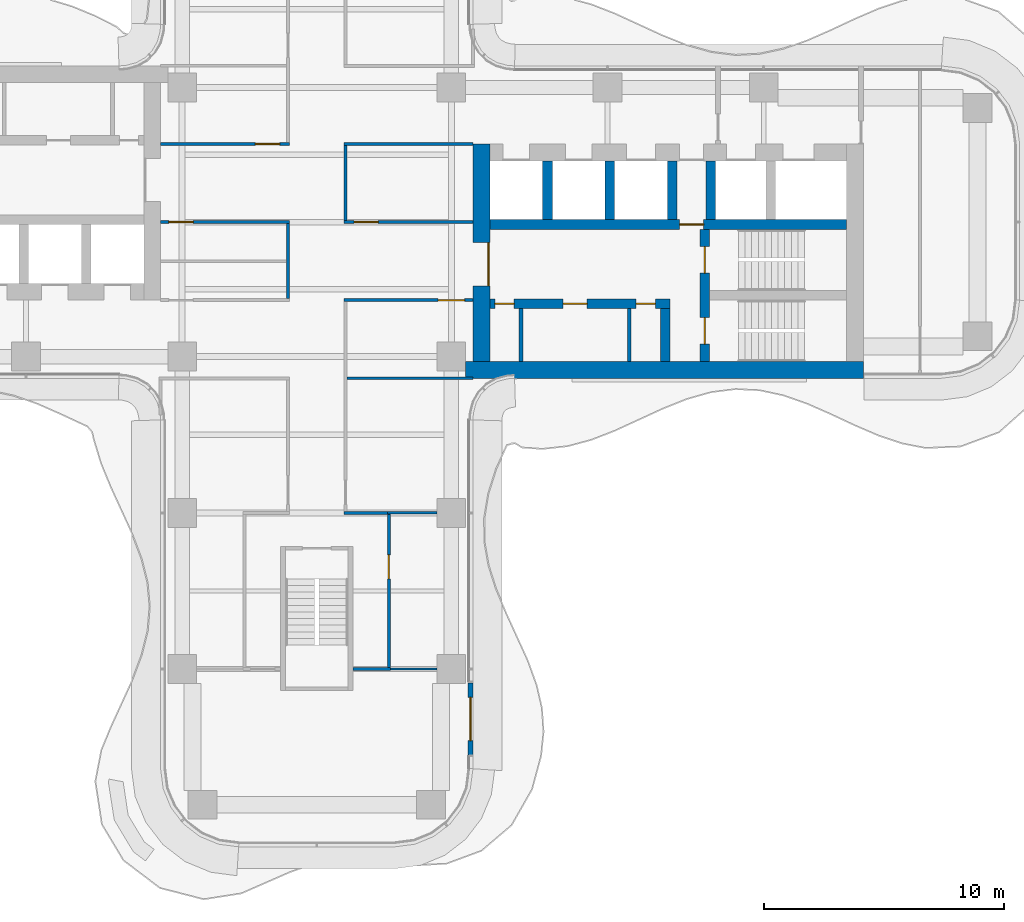
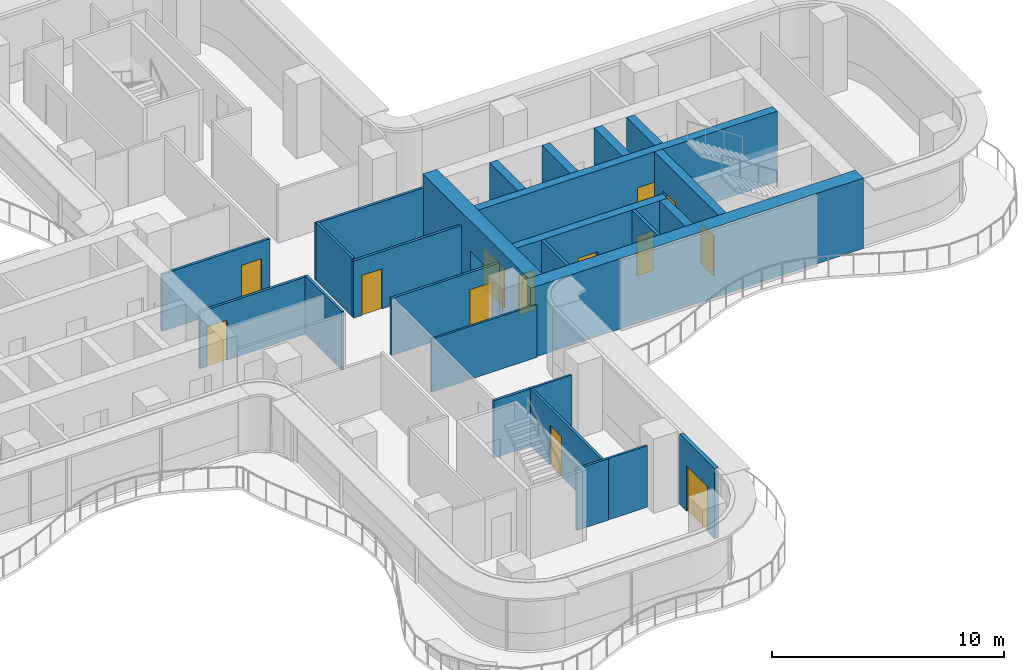
# One storey, part 14 of 18: 26 walls, 13 doors, 13 openings.
"""IFC4 building model written with IfcOpenShell, lengths in metres."""

from ifc_helpers import new_model, si_unit, direction, frame, frame_2d, origin, place, context, subcontext, project, spatial, rectangle, extrude, source, transform, mapped, material, layer, layer_set, type_object, element, fill, save


model = new_model("IFC4")

# Units and contexts
model_context = context("Model", 3, precision=1e-05, world=origin(), true_north=direction((0.0, 1.0)))
body_context = subcontext(model_context, "Body", "Model", "MODEL_VIEW")
ifc_project = project(units=[si_unit("LENGTHUNIT", "METRE"), si_unit("AREAUNIT", "SQUARE_METRE"), si_unit("VOLUMEUNIT", "CUBIC_METRE"), si_unit("PLANEANGLEUNIT", "RADIAN"), si_unit("MASSUNIT", "GRAM", prefix="KILO")], contexts=[model_context])

# Site, building, storey
site_placement = place(None, origin())
site = spatial("IfcSite", under=ifc_project, at=site_placement, CompositionType="ELEMENT")
building_placement = place(site_placement, origin())
building = spatial("IfcBuilding", under=site, at=building_placement, Name="Trellis Farm Tower", CompositionType="ELEMENT")
storey_placement = place(building_placement, frame((0.0, 0.0, 201.0)))
storey = spatial("IfcBuildingStorey", under=building, at=storey_placement, Name="L44", CompositionType="ELEMENT", Elevation=201.0)

# Wall, opening, door
ifc_material_1 = material(Name="Concrete C70/85", Category="concrete")
ifc_layer_1 = layer(ifc_material_1, 0.699951171875)
ifc_layer_set_1 = layer_set([ifc_layer_1], Name="CORE OUTER WALL 700 CONCRETE C70/85")
wall_type_1 = type_object("IfcWallType", Name="CORE OUTER WALL 700 CONCRETE C70/85", PredefinedType="SHEAR", material=ifc_layer_set_1)
shared_shape_1 = source(origin(), body_context, "Body", "SweptSolid", [
    extrude(rectangle(XDim=9.050048828125, YDim=0.699951171875, at=frame_2d((4.52490234375, 0.0))), origin(), (0.0, 0.0, 1.0), 3.699951171875),
])
wall_1_placement = place(storey_placement, frame((6.85009765625, -5.800048828125, 0.0), z_axis=(0.0, 0.0, 1.0), x_axis=(0.0, 1.0, 0.0)))
wall_1 = element("IfcWall", 1, at=wall_1_placement, inside=storey, type_object=wall_type_1, Name="Core wall", PredefinedType="SHEAR", context=body_context, shape_type="MappedRepresentation", body=[
    mapped(shared_shape_1, transform((0.0, 0.0, 0.0))),
])
shared_shape_2 = source(origin(), body_context, "Body", "SweptSolid", [
    extrude(rectangle(XDim=1.800048828125, YDim=2.10009765625, at=frame_2d((0.89990234375, 1.050048828125))), frame((0.0, 0.360107421875, 0.0), z_axis=(0.0, -1.0, 0.0), x_axis=(1.0, 0.0, 0.0)), (0.0, 0.0, 1.0), 0.72021484375),
])
opening_1_placement = place(wall_1_placement, frame((3.14990234375, 0.0, 0.0)))
opening_1 = element("IfcOpeningElement", 2, at=opening_1_placement, cuts=wall_1, Name="Opening DC1", PredefinedType="OPENING", context=body_context, shape_type="MappedRepresentation", body=[
    mapped(shared_shape_2, transform((0.0, 0.0, 0.0))),
])
ifc_material_2 = material(Name="Steel", Category="steel")
door_type_1 = type_object("IfcDoorType", Name="CORE FIRE DOOR DOUBLE 1800 X 2100", OperationType="DOUBLE_DOOR_SINGLE_SWING", PredefinedType="DOOR", material=ifc_material_2)
shared_shape_3 = source(origin(), body_context, "Body", "SweptSolid", [
    extrude(rectangle(XDim=1.800048828125, YDim=2.10009765625, at=frame_2d((0.89990234375, 1.050048828125))), frame((0.0, -0.27490234375, 0.0), z_axis=(0.0, -1.0, 0.0), x_axis=(1.0, 0.0, 0.0)), (0.0, 0.0, 1.0), 0.050048828125),
])
door_1_placement = place(opening_1_placement, origin())
door_1 = element("IfcDoor", 3, at=door_1_placement, inside=storey, type_object=door_type_1, Name="Core door", OperationType="DOUBLE_DOOR_SINGLE_SWING", OverallHeight=2.10009765625, OverallWidth=1.800048828125, PredefinedType="DOOR", context=body_context, shape_type="MappedRepresentation", body=[
    mapped(shared_shape_3, transform((0.0, 0.0, 0.0))),
])
fill(opening_1, door_1)

# Walls
ifc_layer_2 = layer(ifc_material_1, 0.39990234375)
ifc_layer_set_2 = layer_set([ifc_layer_2], Name="CORE INNER WALL 400 CONCRETE C70/85")
wall_type_2 = type_object("IfcWallType", Name="CORE INNER WALL 400 CONCRETE C70/85", PredefinedType="SHEAR", material=ifc_layer_set_2)
shared_shape_4 = source(origin(), body_context, "Body", "SweptSolid", [
    extrude(rectangle(XDim=2.449951171875, YDim=0.39990234375, at=frame_2d((1.22509765625, 0.0))), origin(), (0.0, 0.0, 1.0), 3.699951171875),
])
for number, where, z_axis, x_axis, name in (
    (4, (9.60009765625, 0.10009765625, 0.0), (0.0, 0.0, 1.0), (0.0, 1.0, 0.0), "Core wall"),
    (5, (12.199951171875, 0.10009765625, 0.0), (0.0, 0.0, 1.0), (0.0, 1.0, 0.0), "Core wall"),
    (6, (14.800048828125, 0.10009765625, 0.0), (0.0, 0.0, 1.0), (0.0, 1.0, 0.0), "Core wall"),
    (7, (16.39990234375, 0.10009765625, 0.0), (0.0, 0.0, 1.0), (0.0, 1.0, 0.0), "Core wall"),
):
    element("IfcWall", number, at=place(storey_placement, frame(where, z_axis=z_axis, x_axis=x_axis)), inside=storey, type_object=wall_type_2, Name=name, PredefinedType="SHEAR", context=body_context, shape_type="MappedRepresentation", body=[
        mapped(shared_shape_4, transform((0.0, 0.0, 0.0))),
    ])
shared_shape_5 = source(origin(), body_context, "Body", "SweptSolid", [
    extrude(rectangle(XDim=16.550048828125, YDim=0.699951171875, at=frame_2d((8.27490234375, 0.0))), origin(), (0.0, 0.0, 1.0), 3.699951171875),
])
wall_2_placement = place(storey_placement, frame((6.199951171875, -6.14990234375, 0.0), z_axis=(0.0, 0.0, 1.0), x_axis=(1.0, 0.0, 0.0)))
element("IfcWall", 8, at=wall_2_placement, inside=storey, type_object=wall_type_1, Name="Core wall", PredefinedType="SHEAR", context=body_context, shape_type="MappedRepresentation", body=[
    mapped(shared_shape_5, transform((0.0, 0.0, 0.0))),
])

# Wall, openings, doors
shared_shape_6 = source(origin(), body_context, "Body", "SweptSolid", [
    extrude(rectangle(XDim=7.5, YDim=0.39990234375, at=frame_2d((3.75, 0.0))), origin(), (0.0, 0.0, 1.0), 3.699951171875),
])
wall_3_placement = place(storey_placement, frame((7.199951171875, -3.39990234375, 0.0), z_axis=(0.0, 0.0, 1.0), x_axis=(1.0, 0.0, 0.0)))
wall_3 = element("IfcWall", 9, at=wall_3_placement, inside=storey, type_object=wall_type_2, Name="Core wall", PredefinedType="SHEAR", context=body_context, shape_type="MappedRepresentation", body=[
    mapped(shared_shape_6, transform((0.0, 0.0, 0.0))),
])
shared_shape_7 = source(origin(), body_context, "Body", "SweptSolid", [
    extrude(rectangle(XDim=0.800048828125, YDim=2.10009765625, at=frame_2d((0.39990234375, 1.050048828125))), frame((0.0, 0.2099609375, 0.0), z_axis=(0.0, -1.0, 0.0), x_axis=(1.0, 0.0, 0.0)), (0.0, 0.0, 1.0), 0.419921875),
])
opening_2_placement = place(wall_3_placement, frame((0.21240234375, 0.0, 0.0)))
opening_2 = element("IfcOpeningElement", 10, at=opening_2_placement, cuts=wall_3, Name="Opening DC51", PredefinedType="OPENING", context=body_context, shape_type="MappedRepresentation", body=[
    mapped(shared_shape_7, transform((0.0, 0.0, 0.0))),
])
shared_shape_8 = source(origin(), body_context, "Body", "SweptSolid", [
    extrude(rectangle(XDim=1.0, YDim=2.10009765625, at=frame_2d((0.5, 1.050048828125))), frame((0.0, 0.2099609375, 0.0), z_axis=(0.0, -1.0, 0.0), x_axis=(1.0, 0.0, 0.0)), (0.0, 0.0, 1.0), 0.419921875),
])
opening_3_placement = place(wall_3_placement, frame((3.050048828125, 0.0, 0.0)))
opening_3 = element("IfcOpeningElement", 11, at=opening_3_placement, cuts=wall_3, Name="Opening DC62", PredefinedType="OPENING", context=body_context, shape_type="MappedRepresentation", body=[
    mapped(shared_shape_8, transform((0.0, 0.0, 0.0))),
])
opening_4_placement = place(wall_3_placement, frame((6.08740234375, 0.0, 0.0)))
opening_4 = element("IfcOpeningElement", 12, at=opening_4_placement, cuts=wall_3, Name="Opening DC63", PredefinedType="OPENING", context=body_context, shape_type="MappedRepresentation", body=[
    mapped(shared_shape_7, transform((0.0, 0.0, 0.0))),
])
door_type_2 = type_object("IfcDoorType", Name="CORE FIRE DOOR 1000 X 2100", OperationType="NOTDEFINED", PredefinedType="DOOR", material=ifc_material_2)
shared_shape_9 = source(origin(), body_context, "Body", "SweptSolid", [
    extrude(rectangle(XDim=1.0, YDim=2.10009765625, at=frame_2d((0.5, 1.050048828125))), frame((0.0, 0.02490234375, 0.0), z_axis=(0.0, -1.0, 0.0), x_axis=(1.0, 0.0, 0.0)), (0.0, 0.0, 1.0), 0.050048828125),
])
door_2_placement = place(opening_3_placement, origin())
door_2 = element("IfcDoor", 13, at=door_2_placement, inside=storey, type_object=door_type_2, Name="Core door", OperationType="SINGLE_SWING_RIGHT", OverallHeight=2.10009765625, OverallWidth=1.0, PredefinedType="DOOR", context=body_context, shape_type="MappedRepresentation", body=[
    mapped(shared_shape_9, transform((0.0, 0.0, 0.0))),
])
fill(opening_3, door_2)
door_type_3 = type_object("IfcDoorType", Name="CORE FIRE DOOR 800 X 2100", OperationType="NOTDEFINED", PredefinedType="DOOR", material=ifc_material_2)
shared_shape_10 = source(origin(), body_context, "Body", "SweptSolid", [
    extrude(rectangle(XDim=0.800048828125, YDim=2.10009765625, at=frame_2d((0.39990234375, 1.050048828125))), frame((0.0, 0.02490234375, 0.0), z_axis=(0.0, -1.0, 0.0), x_axis=(1.0, 0.0, 0.0)), (0.0, 0.0, 1.0), 0.050048828125),
])
door_3_placement = place(opening_2_placement, origin())
door_3 = element("IfcDoor", 14, at=door_3_placement, inside=storey, type_object=door_type_3, Name="Core door", OperationType="SINGLE_SWING_LEFT", OverallHeight=2.10009765625, OverallWidth=0.800048828125, PredefinedType="DOOR", context=body_context, shape_type="MappedRepresentation", body=[
    mapped(shared_shape_10, transform((0.0, 0.0, 0.0))),
])
fill(opening_2, door_3)
door_4_placement = place(opening_4_placement, origin())
door_4 = element("IfcDoor", 15, at=door_4_placement, inside=storey, type_object=door_type_3, Name="Core door", OperationType="SINGLE_SWING_LEFT", OverallHeight=2.10009765625, OverallWidth=0.800048828125, PredefinedType="DOOR", context=body_context, shape_type="MappedRepresentation", body=[
    mapped(shared_shape_10, transform((0.0, 0.0, 0.0))),
])
fill(opening_4, door_4)

# Wall, opening, door
shared_shape_11 = source(origin(), body_context, "Body", "SweptSolid", [
    extrude(rectangle(XDim=14.85009765625, YDim=0.39990234375, at=frame_2d((7.425048828125, 0.0))), origin(), (0.0, 0.0, 1.0), 3.699951171875),
])
wall_4_placement = place(storey_placement, frame((7.199951171875, -0.10009765625, 0.0), z_axis=(0.0, 0.0, 1.0), x_axis=(1.0, 0.0, 0.0)))
wall_4 = element("IfcWall", 16, at=wall_4_placement, inside=storey, type_object=wall_type_2, Name="Core wall", PredefinedType="SHEAR", context=body_context, shape_type="MappedRepresentation", body=[
    mapped(shared_shape_11, transform((0.0, 0.0, 0.0))),
])
opening_5_placement = place(wall_4_placement, frame((7.89990234375, 0.0, 0.0)))
opening_5 = element("IfcOpeningElement", 17, at=opening_5_placement, cuts=wall_4, Name="Opening DC5", PredefinedType="OPENING", context=body_context, shape_type="MappedRepresentation", body=[
    mapped(shared_shape_8, transform((0.0, 0.0, 0.0))),
])
door_5_placement = place(opening_5_placement, origin())
door_5 = element("IfcDoor", 18, at=door_5_placement, inside=storey, type_object=door_type_2, Name="Core door", OperationType="SINGLE_SWING_RIGHT", OverallHeight=2.10009765625, OverallWidth=1.0, PredefinedType="DOOR", context=body_context, shape_type="MappedRepresentation", body=[
    mapped(shared_shape_9, transform((0.0, 0.0, 0.0))),
])
fill(opening_5, door_5)

# Wall, openings, doors
shared_shape_12 = source(origin(), body_context, "Body", "SweptSolid", [
    extrude(rectangle(XDim=5.5, YDim=0.39990234375, at=frame_2d((2.75, 0.0))), origin(), (0.0, 0.0, 1.0), 3.699951171875),
])
wall_5_placement = place(storey_placement, frame((16.14990234375, -5.800048828125, 0.0), z_axis=(0.0, 0.0, 1.0), x_axis=(0.0, 1.0, 0.0)))
wall_5 = element("IfcWall", 19, at=wall_5_placement, inside=storey, type_object=wall_type_2, Name="Core wall", PredefinedType="SHEAR", context=body_context, shape_type="MappedRepresentation", body=[
    mapped(shared_shape_12, transform((0.0, 0.0, 0.0))),
])
shared_shape_13 = source(origin(), body_context, "Body", "SweptSolid", [
    extrude(rectangle(XDim=1.10009765625, YDim=2.10009765625, at=frame_2d((0.550048828125, 1.050048828125))), frame((0.0, 0.2099609375, 0.0), z_axis=(0.0, -1.0, 0.0), x_axis=(1.0, 0.0, 0.0)), (0.0, 0.0, 1.0), 0.419921875),
])
opening_6_placement = place(wall_5_placement, frame((0.72509765625, 0.0, 0.0)))
opening_6 = element("IfcOpeningElement", 20, at=opening_6_placement, cuts=wall_5, Name="Opening DC2", PredefinedType="OPENING", context=body_context, shape_type="MappedRepresentation", body=[
    mapped(shared_shape_13, transform((0.0, 0.0, 0.0))),
])
opening_7_placement = place(wall_5_placement, frame((3.675048828125, 0.0, 0.0)))
opening_7 = element("IfcOpeningElement", 21, at=opening_7_placement, cuts=wall_5, Name="Opening DC3", PredefinedType="OPENING", context=body_context, shape_type="MappedRepresentation", body=[
    mapped(shared_shape_13, transform((0.0, 0.0, 0.0))),
])
door_type_4 = type_object("IfcDoorType", Name="CORE FIRE DOOR 1100 X 2100", OperationType="NOTDEFINED", PredefinedType="DOOR", material=ifc_material_2)
shared_shape_14 = source(origin(), body_context, "Body", "SweptSolid", [
    extrude(rectangle(XDim=1.10009765625, YDim=2.10009765625, at=frame_2d((0.550048828125, 1.050048828125))), frame((0.0, 0.02490234375, 0.0), z_axis=(0.0, -1.0, 0.0), x_axis=(1.0, 0.0, 0.0)), (0.0, 0.0, 1.0), 0.050048828125),
])
door_6_placement = place(opening_6_placement, origin())
door_6 = element("IfcDoor", 22, at=door_6_placement, inside=storey, type_object=door_type_4, Name="Core door", OperationType="SINGLE_SWING_RIGHT", OverallHeight=2.10009765625, OverallWidth=1.10009765625, PredefinedType="DOOR", context=body_context, shape_type="MappedRepresentation", body=[
    mapped(shared_shape_14, transform((0.0, 0.0, 0.0))),
])
fill(opening_6, door_6)
door_7_placement = place(opening_7_placement, origin())
door_7 = element("IfcDoor", 23, at=door_7_placement, inside=storey, type_object=door_type_4, Name="Core door", OperationType="SINGLE_SWING_LEFT", OverallHeight=2.10009765625, OverallWidth=1.10009765625, PredefinedType="DOOR", context=body_context, shape_type="MappedRepresentation", body=[
    mapped(shared_shape_14, transform((0.0, 0.0, 0.0))),
])
fill(opening_7, door_7)

# Walls
shared_shape_15 = source(origin(), body_context, "Body", "SweptSolid", [
    extrude(rectangle(XDim=2.199951171875, YDim=0.39990234375, at=frame_2d((1.10009765625, 0.0))), origin(), (0.0, 0.0, 1.0), 3.699951171875),
])
wall_6_placement = place(storey_placement, frame((14.5, -5.800048828125, 0.0), z_axis=(0.0, 0.0, 1.0), x_axis=(0.0, 1.0, 0.0)))
element("IfcWall", 24, at=wall_6_placement, inside=storey, type_object=wall_type_2, Name="Core wall", PredefinedType="SHEAR", context=body_context, shape_type="MappedRepresentation", body=[
    mapped(shared_shape_15, transform((0.0, 0.0, 0.0))),
])
ifc_material_3 = material(Name="Masonry blockwork", Category="masonry")
ifc_layer_3 = layer(ifc_material_3, 0.14990234375)
ifc_layer_set_3 = layer_set([ifc_layer_3], Name="CORE PARTITION 150 BLOCKWORK")
wall_type_3 = type_object("IfcWallType", Name="CORE PARTITION 150 BLOCKWORK", PredefinedType="PARTITIONING", material=ifc_layer_set_3)
shared_shape_16 = source(origin(), body_context, "Body", "SweptSolid", [
    extrude(rectangle(XDim=2.199951171875, YDim=0.14990234375, at=frame_2d((1.10009765625, 0.0))), origin(), (0.0, 0.0, 1.0), 3.699951171875),
])
for number, where, z_axis, x_axis, name in (
    (25, (8.5, -5.800048828125, 0.0), (0.0, 0.0, 1.0), (0.0, 1.0, 0.0), "Core room partition"),
    (26, (13.0, -5.800048828125, 0.0), (0.0, 0.0, 1.0), (0.0, 1.0, 0.0), "Core room partition"),
):
    element("IfcWall", number, at=place(storey_placement, frame(where, z_axis=z_axis, x_axis=x_axis)), inside=storey, type_object=wall_type_3, Name=name, PredefinedType="PARTITIONING", context=body_context, shape_type="MappedRepresentation", body=[
        mapped(shared_shape_16, transform((0.0, 0.0, 0.0))),
    ])

# Wall, opening, door
ifc_material_4 = material(Name="Sandstone faced insulated wall", Category="masonry")
ifc_layer_4 = layer(ifc_material_4, 0.199951171875)
ifc_layer_set_4 = layer_set([ifc_layer_4], Name="EXTERNAL INFILL WALL 200")
wall_type_4 = type_object("IfcWallType", Name="EXTERNAL INFILL WALL 200", PredefinedType="SOLIDWALL", material=ifc_layer_set_4)
shared_shape_17 = source(origin(), body_context, "Body", "SweptSolid", [
    extrude(rectangle(XDim=3.0, YDim=0.199951171875, at=frame_2d((1.5, 0.0))), origin(), (0.0, 0.0, 1.0), 3.699951171875),
])
wall_7_placement = place(storey_placement, frame((6.39990234375, -22.175048828125, 0.0), z_axis=(0.0, 0.0, 1.0), x_axis=(0.0, 1.0, 0.0)))
wall_7 = element("IfcWall", 27, at=wall_7_placement, inside=storey, type_object=wall_type_4, Name="EW1 01", PredefinedType="SOLIDWALL", context=body_context, shape_type="MappedRepresentation", body=[
    mapped(shared_shape_17, transform((0.0, 0.0, 0.0))),
])
shared_shape_18 = source(origin(), body_context, "Body", "SweptSolid", [
    extrude(rectangle(XDim=1.800048828125, YDim=2.39990234375, at=frame_2d((0.89990234375, 1.199951171875))), frame((0.0, 0.110107421875, 0.0), z_axis=(0.0, -1.0, 0.0), x_axis=(1.0, 0.0, 0.0)), (0.0, 0.0, 1.0), 0.22021484375),
])
opening_8_placement = place(wall_7_placement, frame((0.60009765625, 0.0, 0.0)))
opening_8 = element("IfcOpeningElement", 28, at=opening_8_placement, cuts=wall_7, Name="Opening ED1", PredefinedType="OPENING", context=body_context, shape_type="MappedRepresentation", body=[
    mapped(shared_shape_18, transform((0.0, 0.0, 0.0))),
])
ifc_material_5 = material(Name="Aluminium framed glazed door", Category="aluminium")
door_type_5 = type_object("IfcDoorType", Name="BALCONY DOOR 1800x2400", OperationType="DOUBLE_DOOR_SINGLE_SWING", PredefinedType="DOOR", material=ifc_material_5)
shared_shape_19 = source(origin(), body_context, "Body", "SweptSolid", [
    extrude(rectangle(XDim=1.800048828125, YDim=2.39990234375, at=frame_2d((0.89990234375, 1.199951171875))), frame((0.0, 0.02490234375, 0.0), z_axis=(0.0, -1.0, 0.0), x_axis=(1.0, 0.0, 0.0)), (0.0, 0.0, 1.0), 0.050048828125),
])
door_8_placement = place(opening_8_placement, origin())
door_8 = element("IfcDoor", 29, at=door_8_placement, inside=storey, type_object=door_type_5, Name="Balcony door", OperationType="DOUBLE_DOOR_SINGLE_SWING", OverallHeight=2.39990234375, OverallWidth=1.800048828125, PredefinedType="DOOR", context=body_context, shape_type="MappedRepresentation", body=[
    mapped(shared_shape_19, transform((0.0, 0.0, 0.0))),
])
fill(opening_8, door_8)

# Walls
ifc_material_6 = material(Name="Plasterboard on steel studs, mineral wool", Category="steel")
ifc_layer_5 = layer(ifc_material_6, 0.125)
ifc_layer_set_5 = layer_set([ifc_layer_5], Name="PARTITION 125 STUD EI 60")
wall_type_5 = type_object("IfcWallType", Name="PARTITION 125 STUD EI 60", PredefinedType="PARTITIONING", material=ifc_layer_set_5)
shared_shape_20 = source(origin(), body_context, "Body", "SweptSolid", [
    extrude(rectangle(XDim=3.125, YDim=0.125, at=frame_2d((1.5625, 0.0))), origin(), (0.0, 0.0, 1.0), 3.06787109375),
])
for number, where, z_axis, x_axis, name in (
    (30, (-1.199951171875, -0.0625, 0.0), (0.0, 0.0, 1.0), (0.0, -1.0, 0.0), "Partition PW1"),
    (31, (1.199951171875, 3.1875, 0.0), (0.0, 0.0, 1.0), (0.0, -1.0, 0.0), "Partition PW1"),
):
    element("IfcWall", number, at=place(storey_placement, frame(where, z_axis=z_axis, x_axis=x_axis)), inside=storey, type_object=wall_type_5, Name=name, PredefinedType="PARTITIONING", context=body_context, shape_type="MappedRepresentation", body=[
        mapped(shared_shape_20, transform((0.0, 0.0, 0.0))),
    ])

# Wall, opening, door
shared_shape_21 = source(origin(), body_context, "Body", "SweptSolid", [
    extrude(rectangle(XDim=5.362548828125, YDim=0.125, at=frame_2d((2.68115234375, 0.0))), origin(), (0.0, 0.0, 1.0), 2.99658203125),
])
wall_8_placement = place(storey_placement, frame((6.5, -3.25, 0.0), z_axis=(0.0, 0.0, 1.0), x_axis=(-1.0, 0.0, 0.0)))
wall_8 = element("IfcWall", 32, at=wall_8_placement, inside=storey, type_object=wall_type_5, Name="Partition PW1", PredefinedType="PARTITIONING", context=body_context, shape_type="MappedRepresentation", body=[
    mapped(shared_shape_21, transform((0.0, 0.0, 0.0))),
])
shared_shape_22 = source(origin(), body_context, "Body", "SweptSolid", [
    extrude(rectangle(XDim=1.10009765625, YDim=2.10009765625, at=frame_2d((0.550048828125, 1.050048828125))), frame((0.0, 0.072509765625, 0.0), z_axis=(0.0, -1.0, 0.0), x_axis=(1.0, 0.0, 0.0)), (0.0, 0.0, 1.0), 0.14501953125),
])
opening_9_placement = place(wall_8_placement, frame((0.35009765625, 0.0, 0.0)))
opening_9 = element("IfcOpeningElement", 33, at=opening_9_placement, cuts=wall_8, Name="Opening D501", PredefinedType="OPENING", context=body_context, shape_type="MappedRepresentation", body=[
    mapped(shared_shape_22, transform((0.0, 0.0, 0.0))),
])
ifc_material_7 = material(Name="Fire-rated timber door leaf in a hollow metal frame", Category="wood")
door_type_6 = type_object("IfcDoorType", Name="DOOR 1100x2100 FD30S", OperationType="NOTDEFINED", PredefinedType="DOOR", material=ifc_material_7)
door_9_placement = place(opening_9_placement, origin())
door_9 = element("IfcDoor", 34, at=door_9_placement, inside=storey, type_object=door_type_6, Name="Door D501", OperationType="SINGLE_SWING_LEFT", OverallHeight=2.10009765625, OverallWidth=1.10009765625, PredefinedType="DOOR", context=body_context, shape_type="MappedRepresentation", body=[
    mapped(shared_shape_14, transform((0.0, 0.0, 0.0))),
])
fill(opening_9, door_9)

wall_9_placement = place(storey_placement, frame((-1.137451171875, 0.0, 0.0), z_axis=(0.0, 0.0, 1.0), x_axis=(-1.0, 0.0, 0.0)))
wall_9 = element("IfcWall", 35, at=wall_9_placement, inside=storey, type_object=wall_type_5, Name="Partition PW1", PredefinedType="PARTITIONING", context=body_context, shape_type="MappedRepresentation", body=[
    mapped(shared_shape_21, transform((0.0, 0.0, 0.0))),
])
shared_shape_23 = source(origin(), body_context, "Body", "SweptSolid", [
    extrude(rectangle(XDim=1.0, YDim=2.10009765625, at=frame_2d((0.5, 1.050048828125))), frame((0.0, 0.072509765625, 0.0), z_axis=(0.0, -1.0, 0.0), x_axis=(1.0, 0.0, 0.0)), (0.0, 0.0, 1.0), 0.14501953125),
])
opening_10_placement = place(wall_9_placement, frame((4.012451171875, 0.0, 0.0)))
opening_10 = element("IfcOpeningElement", 36, at=opening_10_placement, cuts=wall_9, Name="Opening D106", PredefinedType="OPENING", context=body_context, shape_type="MappedRepresentation", body=[
    mapped(shared_shape_23, transform((0.0, 0.0, 0.0))),
])
door_type_7 = type_object("IfcDoorType", Name="DOOR 1000x2100 FD30S", OperationType="NOTDEFINED", PredefinedType="DOOR", material=ifc_material_7)
door_10_placement = place(opening_10_placement, origin())
door_10 = element("IfcDoor", 37, at=door_10_placement, inside=storey, type_object=door_type_7, Name="Door D106", OperationType="SINGLE_SWING_RIGHT", OverallHeight=2.10009765625, OverallWidth=1.0, PredefinedType="DOOR", context=body_context, shape_type="MappedRepresentation", body=[
    mapped(shared_shape_9, transform((0.0, 0.0, 0.0))),
])
fill(opening_10, door_10)

wall_10_placement = place(storey_placement, frame((6.5, 0.0, 0.0), z_axis=(0.0, 0.0, 1.0), x_axis=(-1.0, 0.0, 0.0)))
wall_10 = element("IfcWall", 38, at=wall_10_placement, inside=storey, type_object=wall_type_5, Name="Partition PW1", PredefinedType="PARTITIONING", context=body_context, shape_type="MappedRepresentation", body=[
    mapped(shared_shape_21, transform((0.0, 0.0, 0.0))),
])
opening_11_placement = place(wall_10_placement, frame((3.949951171875, 0.0, 0.0)))
opening_11 = element("IfcOpeningElement", 39, at=opening_11_placement, cuts=wall_10, Name="Opening D107", PredefinedType="OPENING", context=body_context, shape_type="MappedRepresentation", body=[
    mapped(shared_shape_23, transform((0.0, 0.0, 0.0))),
])
door_11_placement = place(opening_11_placement, origin())
door_11 = element("IfcDoor", 40, at=door_11_placement, inside=storey, type_object=door_type_7, Name="Door D107", OperationType="SINGLE_SWING_RIGHT", OverallHeight=2.10009765625, OverallWidth=1.0, PredefinedType="DOOR", context=body_context, shape_type="MappedRepresentation", body=[
    mapped(shared_shape_9, transform((0.0, 0.0, 0.0))),
])
fill(opening_11, door_11)

wall_11_placement = place(storey_placement, frame((-6.5, 3.25, 0.0), z_axis=(0.0, 0.0, 1.0), x_axis=(1.0, 0.0, 0.0)))
wall_11 = element("IfcWall", 41, at=wall_11_placement, inside=storey, type_object=wall_type_5, Name="Partition PW1", PredefinedType="PARTITIONING", context=body_context, shape_type="MappedRepresentation", body=[
    mapped(shared_shape_21, transform((0.0, 0.0, 0.0))),
])
opening_12_placement = place(wall_11_placement, frame((3.949951171875, 0.0, 0.0)))
opening_12 = element("IfcOpeningElement", 42, at=opening_12_placement, cuts=wall_11, Name="Opening D108", PredefinedType="OPENING", context=body_context, shape_type="MappedRepresentation", body=[
    mapped(shared_shape_23, transform((0.0, 0.0, 0.0))),
])
door_12_placement = place(opening_12_placement, origin())
door_12 = element("IfcDoor", 43, at=door_12_placement, inside=storey, type_object=door_type_7, Name="Door D108", OperationType="SINGLE_SWING_RIGHT", OverallHeight=2.10009765625, OverallWidth=1.0, PredefinedType="DOOR", context=body_context, shape_type="MappedRepresentation", body=[
    mapped(shared_shape_9, transform((0.0, 0.0, 0.0))),
])
fill(opening_12, door_12)

# Walls
wall_12_placement = place(storey_placement, frame((1.137451171875, 3.25, 0.0), z_axis=(0.0, 0.0, 1.0), x_axis=(1.0, 0.0, 0.0)))
element("IfcWall", 44, at=wall_12_placement, inside=storey, type_object=wall_type_5, Name="Partition PW1", PredefinedType="PARTITIONING", context=body_context, shape_type="MappedRepresentation", body=[
    mapped(shared_shape_21, transform((0.0, 0.0, 0.0))),
])
ifc_material_8 = material(Name="Plasterboard on steel studs", Category="steel")
ifc_layer_6 = layer(ifc_material_8, 0.10009765625)
ifc_layer_set_6 = layer_set([ifc_layer_6], Name="PARTITION 100 STUD EI 30")
wall_type_6 = type_object("IfcWallType", Name="PARTITION 100 STUD EI 30", PredefinedType="PARTITIONING", material=ifc_layer_set_6)
shared_shape_24 = source(origin(), body_context, "Body", "SweptSolid", [
    extrude(rectangle(XDim=2.0625, YDim=0.10009765625, at=frame_2d((1.03125, 0.0))), origin(), (0.0, 0.0, 1.0), 2.99658203125),
])
wall_13_placement = place(storey_placement, frame((2.9375, -12.10009765625, 0.0), z_axis=(0.0, 0.0, 1.0), x_axis=(1.0, 0.0, 0.0)))
element("IfcWall", 45, at=wall_13_placement, inside=storey, type_object=wall_type_6, Name="Partition PW2", PredefinedType="PARTITIONING", context=body_context, shape_type="MappedRepresentation", body=[
    mapped(shared_shape_24, transform((0.0, 0.0, 0.0))),
])
shared_shape_25 = source(origin(), body_context, "Body", "SweptSolid", [
    extrude(rectangle(XDim=2.0625, YDim=0.10009765625, at=frame_2d((1.03125, 0.0))), origin(), (0.0, 0.0, 1.0), 3.222900390625),
])
wall_14_placement = place(storey_placement, frame((2.9375, -18.60009765625, 0.0), z_axis=(0.0, 0.0, 1.0), x_axis=(1.0, 0.0, 0.0)))
element("IfcWall", 46, at=wall_14_placement, inside=storey, type_object=wall_type_6, Name="Partition PW2", PredefinedType="PARTITIONING", context=body_context, shape_type="MappedRepresentation", body=[
    mapped(shared_shape_25, transform((0.0, 0.0, 0.0))),
])
shared_shape_26 = source(origin(), body_context, "Body", "SweptSolid", [
    extrude(rectangle(XDim=1.5625, YDim=0.125, at=frame_2d((0.78125, 0.0))), origin(), (0.0, 0.0, 1.0), 3.222900390625),
])
wall_15_placement = place(storey_placement, frame((3.0625, -18.60009765625, 0.0), z_axis=(0.0, 0.0, 1.0), x_axis=(-1.0, 0.0, 0.0)))
element("IfcWall", 47, at=wall_15_placement, inside=storey, type_object=wall_type_5, Name="Partition PW1", PredefinedType="PARTITIONING", context=body_context, shape_type="MappedRepresentation", body=[
    mapped(shared_shape_26, transform((0.0, 0.0, 0.0))),
])

# Wall, opening, door
shared_shape_27 = source(origin(), body_context, "Body", "SweptSolid", [
    extrude(rectangle(XDim=6.400146484375, YDim=0.125, at=frame_2d((3.2001953125, 0.0))), origin(), (0.0, 0.0, 1.0), 2.99658203125),
])
wall_16_placement = place(storey_placement, frame((3.0, -12.14990234375, 0.0), z_axis=(0.0, 0.0, 1.0), x_axis=(0.0, -1.0, 0.0)))
wall_16 = element("IfcWall", 48, at=wall_16_placement, inside=storey, type_object=wall_type_5, Name="Partition PW1", PredefinedType="PARTITIONING", context=body_context, shape_type="MappedRepresentation", body=[
    mapped(shared_shape_27, transform((0.0, 0.0, 0.0))),
])
opening_13_placement = place(wall_16_placement, frame((1.699951171875, 0.0, 0.0)))
opening_13 = element("IfcOpeningElement", 49, at=opening_13_placement, cuts=wall_16, Name="Opening D102", PredefinedType="OPENING", context=body_context, shape_type="MappedRepresentation", body=[
    mapped(shared_shape_23, transform((0.0, 0.0, 0.0))),
])
door_13_placement = place(opening_13_placement, origin())
door_13 = element("IfcDoor", 50, at=door_13_placement, inside=storey, type_object=door_type_7, Name="Door D102", OperationType="SINGLE_SWING_LEFT", OverallHeight=2.10009765625, OverallWidth=1.0, PredefinedType="DOOR", context=body_context, shape_type="MappedRepresentation", body=[
    mapped(shared_shape_9, transform((0.0, 0.0, 0.0))),
])
fill(opening_13, door_13)

# Walls
shared_shape_28 = source(origin(), body_context, "Body", "SweptSolid", [
    extrude(rectangle(XDim=1.925048828125, YDim=0.125, at=frame_2d((0.96240234375, 0.0))), origin(), (0.0, 0.0, 1.0), 2.99658203125),
])
wall_17_placement = place(storey_placement, frame((1.137451171875, -12.10009765625, 0.0), z_axis=(0.0, 0.0, 1.0), x_axis=(1.0, 0.0, 0.0)))
element("IfcWall", 51, at=wall_17_placement, inside=storey, type_object=wall_type_5, Name="Partition PW1", PredefinedType="PARTITIONING", context=body_context, shape_type="MappedRepresentation", body=[
    mapped(shared_shape_28, transform((0.0, 0.0, 0.0))),
])
shared_shape_29 = source(origin(), body_context, "Body", "SweptSolid", [
    extrude(rectangle(XDim=5.237548828125, YDim=0.10009765625, at=frame_2d((2.61865234375, 0.0))), origin(), (0.0, 0.0, 1.0), 2.780029296875),
])
wall_18_placement = place(storey_placement, frame((1.262451171875, -6.5, 0.0), z_axis=(0.0, 0.0, 1.0), x_axis=(1.0, 0.0, 0.0)))
element("IfcWall", 52, at=wall_18_placement, inside=storey, type_object=wall_type_6, Name="Partition PW2", PredefinedType="PARTITIONING", context=body_context, shape_type="MappedRepresentation", body=[
    mapped(shared_shape_29, transform((0.0, 0.0, 0.0))),
])

save(model, "model.ifc")
